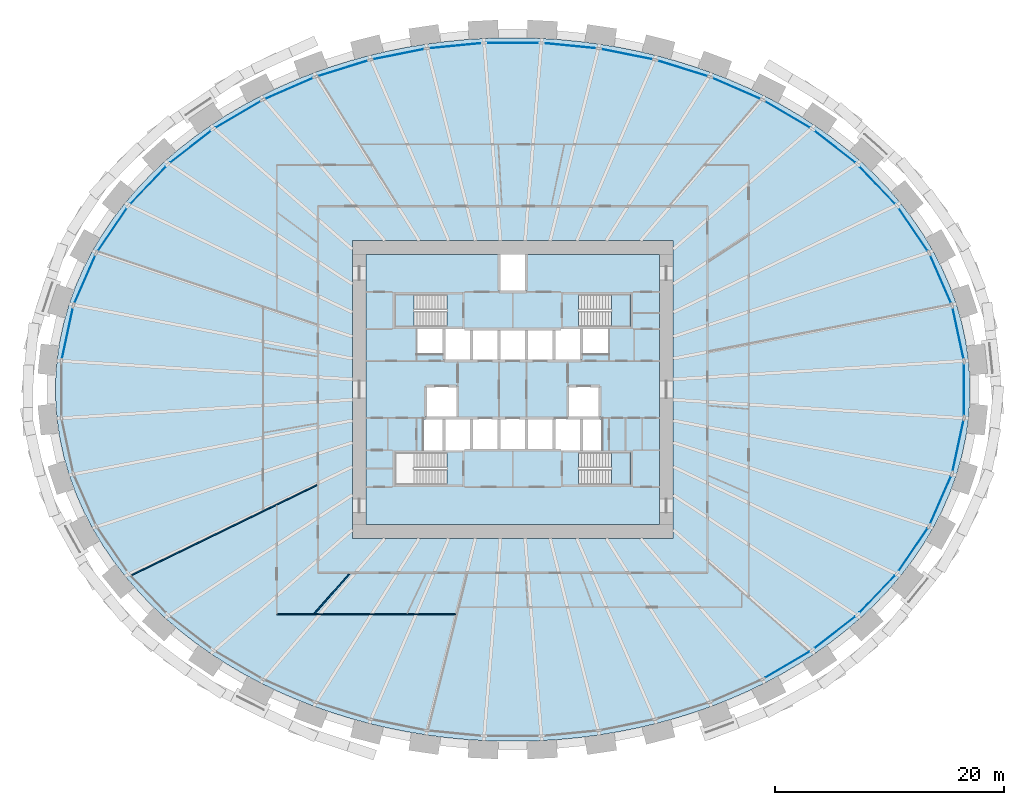
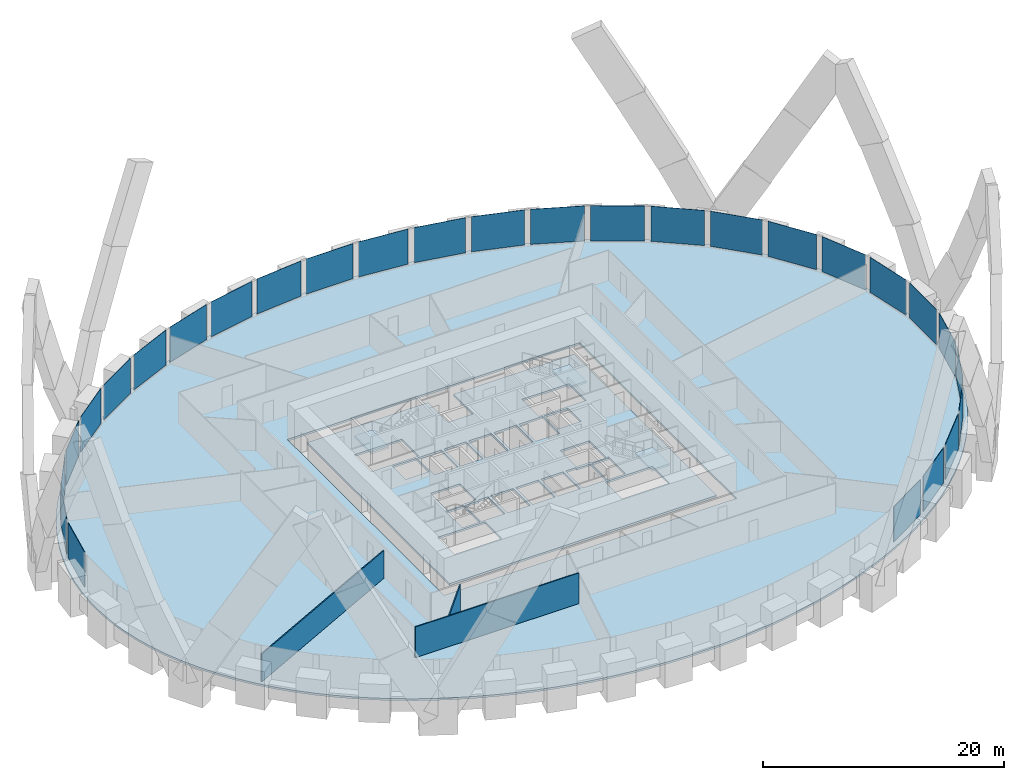
# One storey, part 6 of 12: 28 plates, 5 slabs, 3 walls, 4 elements without a shape of their own.
"""IFC4 building model written with IfcOpenShell, lengths in metres."""

from ifc_helpers import new_model, si_unit, direction, frame, frame_2d, origin, origin_2d, place, context, subcontext, project, spatial, polyline, rectangle, outline, extrude, source, transform, mapped, material, layer, layer_set, type_object, element, aggregate, save


model = new_model("IFC4")

# Units and contexts
model_context = context("Model", 3, precision=1e-05, world=origin(), true_north=direction((0.0, 1.0)))
body_context = subcontext(model_context, "Body", "Model", "MODEL_VIEW")
ifc_project = project(units=[si_unit("LENGTHUNIT", "METRE"), si_unit("AREAUNIT", "SQUARE_METRE"), si_unit("VOLUMEUNIT", "CUBIC_METRE"), si_unit("PLANEANGLEUNIT", "RADIAN"), si_unit("MASSUNIT", "GRAM", prefix="KILO")], contexts=[model_context])

# Site, building, storey
site_placement = place(None, origin())
site = spatial("IfcSite", under=ifc_project, at=site_placement, CompositionType="ELEMENT")
building_placement = place(site_placement, origin())
building = spatial("IfcBuilding", under=site, at=building_placement, Name="Embergate Tower", CompositionType="ELEMENT")
storey_placement = place(building_placement, frame((0.0, 0.0, 65.89990234375)))
storey = spatial("IfcBuildingStorey", under=building, at=storey_placement, Name="L12", CompositionType="ELEMENT", Elevation=65.89990234375)

# Slab
ifc_material_1 = material(Name="Concrete C40", Category="concrete")
ifc_layer_1 = layer(ifc_material_1, 0.199951171875)
ifc_layer_set_1 = layer_set([ifc_layer_1], Name="Concrete C40")
slab_type_1 = type_object("IfcSlabType", Name="Composite floor slab C40 200", PredefinedType="FLOOR", material=ifc_layer_set_1)
shared_shape_1 = source(origin(), body_context, "Body", "SweptSolid", [
    extrude(outline(polyline([(0.0, 0.0), (1.68798828125, 0.0), (3.375, 0.054931640625), (5.06298828125, 0.1650390625), (6.742919921875, 0.330078125), (8.4130859375, 0.550048828125), (10.0849609375, 0.826904296875), (11.739990234375, 1.158935546875), (13.375, 1.544921875), (15.013916015625, 1.992919921875), (16.6259765625, 2.494873046875), (18.2080078125, 3.050048828125), (19.7919921875, 3.673095703125), (21.339111328125, 4.348876953125), (22.844970703125, 5.077880859375), (24.35009765625, 5.880859375), (25.804931640625, 6.737060546875), (27.2080078125, 7.64306640625), (28.60107421875, 8.632080078125), (29.930908203125, 9.669921875), (31.196044921875, 10.755859375), (32.43798828125, 11.931884765625), (33.60302734375, 13.153076171875), (34.68798828125, 14.41796875), (35.72802734375, 15.77392578125), (36.677001953125, 17.1689453125), (37.531982421875, 18.599853515625), (38.31494140625, 20.114990234375), (38.991943359375, 21.659912109375), (39.56201171875, 23.22998046875), (40.032958984375, 24.862060546875), (40.387939453125, 26.510986328125), (40.6259765625, 28.171875), (40.74609375, 29.85595703125), (40.74609375, 31.5419921875), (40.6259765625, 33.22607421875), (40.387939453125, 34.886962890625), (40.032958984375, 36.535888671875), (39.56201171875, 38.16796875), (38.991943359375, 39.738037109375), (38.31494140625, 41.282958984375), (37.531982421875, 42.798095703125), (36.677001953125, 44.22900390625), (35.72802734375, 45.6240234375), (34.68798828125, 46.97998046875), (33.60302734375, 48.244873046875), (32.43798828125, 49.466064453125), (31.196044921875, 50.64208984375), (29.930908203125, 51.72802734375), (28.60107421875, 52.765869140625), (27.2080078125, 53.7548828125), (25.804931640625, 54.660888671875), (24.35009765625, 55.51708984375), (22.844970703125, 56.320068359375), (21.339111328125, 57.049072265625), (19.7919921875, 57.724853515625), (18.2080078125, 58.347900390625), (16.6259765625, 58.903076171875), (15.013916015625, 59.405029296875), (13.375, 59.85302734375), (11.739990234375, 60.239013671875), (10.0849609375, 60.571044921875), (8.4130859375, 60.847900390625), (6.742919921875, 61.06787109375), (5.06298828125, 61.23291015625), (3.375, 61.343017578125), (1.68798828125, 61.39794921875), (0.0, 61.39794921875), (-1.68701171875, 61.343017578125), (-3.375, 61.23291015625), (-5.054931640625, 61.06787109375), (-6.72509765625, 60.847900390625), (-8.39697265625, 60.571044921875), (-10.052001953125, 60.239013671875), (-11.68701171875, 59.85302734375), (-13.325927734375, 59.405029296875), (-14.93798828125, 58.903076171875), (-16.52001953125, 58.347900390625), (-18.10400390625, 57.724853515625), (-19.651123046875, 57.049072265625), (-21.156982421875, 56.320068359375), (-22.662109375, 55.51708984375), (-24.116943359375, 54.660888671875), (-25.52001953125, 53.7548828125), (-26.9130859375, 52.765869140625), (-28.242919921875, 51.72802734375), (-29.508056640625, 50.64208984375), (-30.75, 49.466064453125), (-31.9150390625, 48.244873046875), (-33.0, 46.97998046875), (-34.0400390625, 45.6240234375), (-34.989013671875, 44.22900390625), (-35.843994140625, 42.798095703125), (-36.626953125, 41.282958984375), (-37.303955078125, 39.738037109375), (-37.8740234375, 38.16796875), (-38.344970703125, 36.535888671875), (-38.699951171875, 34.886962890625), (-38.93798828125, 33.22607421875), (-39.05810546875, 31.5419921875), (-39.05810546875, 29.85595703125), (-38.93798828125, 28.171875), (-38.699951171875, 26.510986328125), (-38.344970703125, 24.862060546875), (-37.8740234375, 23.22998046875), (-37.303955078125, 21.659912109375), (-36.626953125, 20.114990234375), (-35.843994140625, 18.599853515625), (-34.989013671875, 17.1689453125), (-34.0400390625, 15.77392578125), (-33.0, 14.41796875), (-31.9150390625, 13.153076171875), (-30.75, 11.931884765625), (-29.508056640625, 10.755859375), (-28.242919921875, 9.669921875), (-26.9130859375, 8.632080078125), (-25.52001953125, 7.64306640625), (-24.116943359375, 6.737060546875), (-22.662109375, 5.880859375), (-21.156982421875, 5.077880859375), (-19.651123046875, 4.348876953125), (-18.10400390625, 3.673095703125), (-16.52001953125, 3.050048828125), (-14.93798828125, 2.494873046875), (-13.325927734375, 1.992919921875), (-11.68701171875, 1.544921875), (-10.052001953125, 1.158935546875), (-8.39697265625, 0.826904296875), (-6.72509765625, 0.550048828125), (-5.054931640625, 0.330078125), (-3.375, 0.1650390625), (-1.68701171875, 0.054931640625), (0.0, 0.0)]), holes=[polyline([(-13.156005859375, 17.698974609375), (-13.156005859375, 43.698974609375), (14.843994140625, 43.698974609375), (14.843994140625, 17.698974609375), (-13.156005859375, 17.698974609375)])]), origin(), (0.0, 0.0, 1.0), 0.199951171875),
])
slab_1_placement = place(storey_placement, frame((-0.843994140625, -30.698974609375, -0.199951171875)))
element("IfcSlab", 1, at=slab_1_placement, inside=storey, type_object=slab_type_1, Name="SLB-L12-00", PredefinedType="FLOOR", context=body_context, shape_type="MappedRepresentation", body=[
    mapped(shared_shape_1, transform((0.0, 0.0, 0.0))),
])

# Curtain wall, plates
ifc_material_2 = material(Name="Aluminium and glass", Category="aluminium")
curtain_wall_type = type_object("IfcCurtainWallType", Name="Recessed office glazing", PredefinedType="NOTDEFINED", material=ifc_material_2)
curtain_wall_placement = place(storey_placement, origin())
curtain_wall = element("IfcCurtainWall", 2, at=curtain_wall_placement, inside=storey, type_object=curtain_wall_type, Name="Recessed office glazing ring", ObjectType="RECESSED OFFICE GLAZING", PredefinedType="USERDEFINED")
ifc_material_3 = material(Name="Triple glazing, low-emissivity coating", Category="glass")
ifc_layer_2 = layer(ifc_material_3, 0.035888671875)
ifc_layer_set_2 = layer_set([ifc_layer_2], Name="Triple glazing, low-emissivity coating")
plate_type = type_object("IfcPlateType", Name="Office glazing unit", PredefinedType="CURTAIN_PANEL", material=ifc_layer_set_2)
shared_shape_2 = source(origin(), body_context, "Body", "SweptSolid", [
    extrude(rectangle(XDim=4.453857421875, YDim=0.035888671875, at=origin_2d()), origin(), (0.0, 0.0, 1.0), 3.550048828125),
])
plate_1_placement = place(storey_placement, frame((38.87060546875, 4.916748046875, 0.14990234375), z_axis=(0.0, 0.0, 1.0), x_axis=(-0.210391566126, 0.977617199574, 0.0)))
plate_1 = element("IfcPlate", 3, at=plate_1_placement, type_object=plate_type, Name="CW panel 1.1", PredefinedType="CURTAIN_PANEL", context=body_context, shape_type="MappedRepresentation", body=[
    mapped(shared_shape_2, transform((0.0, 0.0, 0.0))),
])
plate_2_placement = place(storey_placement, frame((-38.87060546875, 4.916748046875, 0.14990234375), z_axis=(0.0, 0.0, 1.0), x_axis=(-0.210391566126, -0.977617199574, 0.0)))
plate_2 = element("IfcPlate", 4, at=plate_2_placement, type_object=plate_type, Name="CW panel 21.1", PredefinedType="CURTAIN_PANEL", context=body_context, shape_type="MappedRepresentation", body=[
    mapped(shared_shape_2, transform((0.0, 0.0, 0.0))),
])
plate_3_placement = place(storey_placement, frame((38.87060546875, -4.916748046875, 0.14990234375), z_axis=(0.0, 0.0, 1.0), x_axis=(0.210391566126, 0.977617199574, 0.0)))
plate_3 = element("IfcPlate", 5, at=plate_3_placement, type_object=plate_type, Name="CW panel 43.1", PredefinedType="CURTAIN_PANEL", context=body_context, shape_type="MappedRepresentation", body=[
    mapped(shared_shape_2, transform((0.0, 0.0, 0.0))),
])
shared_shape_3 = source(origin(), body_context, "Body", "SweptSolid", [
    extrude(rectangle(XDim=4.460693359375, YDim=0.035888671875, at=origin_2d()), origin(), (0.0, 0.0, 1.0), 3.550048828125),
])
plate_4_placement = place(storey_placement, frame((37.34716796875, 9.628662109375, 0.14990234375), z_axis=(0.0, 0.0, 1.0), x_axis=(-0.401644109346, 0.915795833921, 0.0)))
plate_4 = element("IfcPlate", 6, at=plate_4_placement, type_object=plate_type, Name="CW panel 2.1", PredefinedType="CURTAIN_PANEL", context=body_context, shape_type="MappedRepresentation", body=[
    mapped(shared_shape_3, transform((0.0, 0.0, 0.0))),
])
plate_5_placement = place(storey_placement, frame((-37.34716796875, 9.628662109375, 0.14990234375), z_axis=(0.0, 0.0, 1.0), x_axis=(-0.401644109346, -0.915795833921, 0.0)))
plate_5 = element("IfcPlate", 7, at=plate_5_placement, type_object=plate_type, Name="CW panel 20.1", PredefinedType="CURTAIN_PANEL", context=body_context, shape_type="MappedRepresentation", body=[
    mapped(shared_shape_3, transform((0.0, 0.0, 0.0))),
])
plate_6_placement = place(storey_placement, frame((37.34716796875, -9.628662109375, 0.14990234375), z_axis=(0.0, 0.0, 1.0), x_axis=(0.401644109346, 0.915795833921, 0.0)))
plate_6 = element("IfcPlate", 8, at=plate_6_placement, type_object=plate_type, Name="CW panel 42.1", PredefinedType="CURTAIN_PANEL", context=body_context, shape_type="MappedRepresentation", body=[
    mapped(shared_shape_3, transform((0.0, 0.0, 0.0))),
])
shared_shape_4 = source(origin(), body_context, "Body", "SweptSolid", [
    extrude(rectangle(XDim=4.4697265625, YDim=0.035888671875, at=origin_2d()), origin(), (0.0, 0.0, 1.0), 3.550048828125),
])
plate_7_placement = place(storey_placement, frame((34.94384765625, 13.972412109375, 0.14990234375), z_axis=(0.0, 0.0, 1.0), x_axis=(-0.562331639324, 0.826911801473, 0.0)))
plate_7 = element("IfcPlate", 9, at=plate_7_placement, type_object=plate_type, Name="CW panel 3.1", PredefinedType="CURTAIN_PANEL", context=body_context, shape_type="MappedRepresentation", body=[
    mapped(shared_shape_4, transform((0.0, 0.0, 0.0))),
])
plate_8_placement = place(storey_placement, frame((-34.94384765625, 13.972412109375, 0.14990234375), z_axis=(0.0, 0.0, 1.0), x_axis=(-0.562331639324, -0.826911801473, 0.0)))
plate_8 = element("IfcPlate", 10, at=plate_8_placement, type_object=plate_type, Name="CW panel 19.1", PredefinedType="CURTAIN_PANEL", context=body_context, shape_type="MappedRepresentation", body=[
    mapped(shared_shape_4, transform((0.0, 0.0, 0.0))),
])
plate_9_placement = place(storey_placement, frame((34.94384765625, -13.972412109375, 0.14990234375), z_axis=(0.0, 0.0, 1.0), x_axis=(0.562331639324, 0.826911801473, 0.0)))
plate_9 = element("IfcPlate", 11, at=plate_9_placement, type_object=plate_type, Name="CW panel 41.1", PredefinedType="CURTAIN_PANEL", context=body_context, shape_type="MappedRepresentation", body=[
    mapped(shared_shape_4, transform((0.0, 0.0, 0.0))),
])
shared_shape_5 = source(origin(), body_context, "Body", "SweptSolid", [
    extrude(rectangle(XDim=4.478515625, YDim=0.035888671875, at=origin_2d()), origin(), (0.0, 0.0, 1.0), 3.550048828125),
])
plate_10_placement = place(storey_placement, frame((31.816162109375, 17.84423828125, 0.14990234375), z_axis=(0.0, 0.0, 1.0), x_axis=(-0.690124942972, 0.723690239735, 0.0)))
plate_10 = element("IfcPlate", 12, at=plate_10_placement, type_object=plate_type, Name="CW panel 4.1", PredefinedType="CURTAIN_PANEL", context=body_context, shape_type="MappedRepresentation", body=[
    mapped(shared_shape_5, transform((0.0, 0.0, 0.0))),
])
plate_11_placement = place(storey_placement, frame((-31.816162109375, 17.84423828125, 0.14990234375), z_axis=(0.0, 0.0, 1.0), x_axis=(-0.690124942972, -0.723690239735, 0.0)))
plate_11 = element("IfcPlate", 13, at=plate_11_placement, type_object=plate_type, Name="CW panel 18.1", PredefinedType="CURTAIN_PANEL", context=body_context, shape_type="MappedRepresentation", body=[
    mapped(shared_shape_5, transform((0.0, 0.0, 0.0))),
])
plate_12_placement = place(storey_placement, frame((31.816162109375, -17.84423828125, 0.14990234375), z_axis=(0.0, 0.0, 1.0), x_axis=(0.690124942972, 0.723690239735, 0.0)))
plate_12 = element("IfcPlate", 14, at=plate_12_placement, type_object=plate_type, Name="CW panel 40.1", PredefinedType="CURTAIN_PANEL", context=body_context, shape_type="MappedRepresentation", body=[
    mapped(shared_shape_5, transform((0.0, 0.0, 0.0))),
])
shared_shape_6 = source(origin(), body_context, "Body", "SweptSolid", [
    extrude(rectangle(XDim=4.486083984375, YDim=0.035888671875, at=origin_2d()), origin(), (0.0, 0.0, 1.0), 3.550048828125),
])
plate_13_placement = place(storey_placement, frame((28.1181640625, 21.19287109375, 0.14990234375), z_axis=(0.0, 0.0, 1.0), x_axis=(-0.788312602312, 0.615274931259, 0.0)))
plate_13 = element("IfcPlate", 15, at=plate_13_placement, type_object=plate_type, Name="CW panel 5.1", PredefinedType="CURTAIN_PANEL", context=body_context, shape_type="MappedRepresentation", body=[
    mapped(shared_shape_6, transform((0.0, 0.0, 0.0))),
])
plate_14_placement = place(storey_placement, frame((-28.1181640625, 21.19287109375, 0.14990234375), z_axis=(0.0, 0.0, 1.0), x_axis=(-0.788312602312, -0.615274931259, 0.0)))
plate_14 = element("IfcPlate", 16, at=plate_14_placement, type_object=plate_type, Name="CW panel 17.1", PredefinedType="CURTAIN_PANEL", context=body_context, shape_type="MappedRepresentation", body=[
    mapped(shared_shape_6, transform((0.0, 0.0, 0.0))),
])
plate_15_placement = place(storey_placement, frame((28.1181640625, -21.19287109375, 0.14990234375), z_axis=(0.0, 0.0, 1.0), x_axis=(0.788312602312, 0.615274931259, 0.0)))
plate_15 = element("IfcPlate", 17, at=plate_15_placement, type_object=plate_type, Name="CW panel 39.1", PredefinedType="CURTAIN_PANEL", context=body_context, shape_type="MappedRepresentation", body=[
    mapped(shared_shape_6, transform((0.0, 0.0, 0.0))),
])
shared_shape_7 = source(origin(), body_context, "Body", "SweptSolid", [
    extrude(rectangle(XDim=4.491943359375, YDim=0.035888671875, at=origin_2d()), origin(), (0.0, 0.0, 1.0), 3.550048828125),
])
plate_16_placement = place(storey_placement, frame((23.98486328125, 24.0029296875, 0.14990234375), z_axis=(0.0, 0.0, 1.0), x_axis=(-0.86204786038, 0.506826880122, 0.0)))
plate_16 = element("IfcPlate", 18, at=plate_16_placement, type_object=plate_type, Name="CW panel 6.1", PredefinedType="CURTAIN_PANEL", context=body_context, shape_type="MappedRepresentation", body=[
    mapped(shared_shape_7, transform((0.0, 0.0, 0.0))),
])
plate_17_placement = place(storey_placement, frame((-23.98486328125, 24.0029296875, 0.14990234375), z_axis=(0.0, 0.0, 1.0), x_axis=(-0.86204786038, -0.506826880122, 0.0)))
plate_17 = element("IfcPlate", 19, at=plate_17_placement, type_object=plate_type, Name="CW panel 16.1", PredefinedType="CURTAIN_PANEL", context=body_context, shape_type="MappedRepresentation", body=[
    mapped(shared_shape_7, transform((0.0, 0.0, 0.0))),
])
plate_18_placement = place(storey_placement, frame((23.98486328125, -24.0029296875, 0.14990234375), z_axis=(0.0, 0.0, 1.0), x_axis=(0.86204786038, 0.506826880122, 0.0)))
plate_18 = element("IfcPlate", 20, at=plate_18_placement, type_object=plate_type, Name="CW panel 38.1", PredefinedType="CURTAIN_PANEL", context=body_context, shape_type="MappedRepresentation", body=[
    mapped(shared_shape_7, transform((0.0, 0.0, 0.0))),
])
shared_shape_8 = source(origin(), body_context, "Body", "SweptSolid", [
    extrude(rectangle(XDim=4.49658203125, YDim=0.035888671875, at=origin_2d()), origin(), (0.0, 0.0, 1.0), 3.550048828125),
])
plate_19_placement = place(storey_placement, frame((19.5263671875, 26.278076171875, 0.14990234375), z_axis=(0.0, 0.0, 1.0), x_axis=(-0.916232715476, 0.400646491426, 0.0)))
plate_19 = element("IfcPlate", 21, at=plate_19_placement, type_object=plate_type, Name="CW panel 7.1", PredefinedType="CURTAIN_PANEL", context=body_context, shape_type="MappedRepresentation", body=[
    mapped(shared_shape_8, transform((0.0, 0.0, 0.0))),
])
plate_20_placement = place(storey_placement, frame((-19.5263671875, 26.278076171875, 0.14990234375), z_axis=(0.0, 0.0, 1.0), x_axis=(-0.916232715476, -0.400646491426, 0.0)))
plate_20 = element("IfcPlate", 22, at=plate_20_placement, type_object=plate_type, Name="CW panel 15.1", PredefinedType="CURTAIN_PANEL", context=body_context, shape_type="MappedRepresentation", body=[
    mapped(shared_shape_8, transform((0.0, 0.0, 0.0))),
])
shared_shape_9 = source(origin(), body_context, "Body", "SweptSolid", [
    extrude(rectangle(XDim=4.5, YDim=0.035888671875, at=origin_2d()), origin(), (0.0, 0.0, 1.0), 3.550048828125),
])
plate_21_placement = place(storey_placement, frame((14.831787109375, 28.029296875, 0.14990234375), z_axis=(0.0, 0.0, 1.0), x_axis=(-0.954770141339, 0.297344879236, 0.0)))
plate_21 = element("IfcPlate", 23, at=plate_21_placement, type_object=plate_type, Name="CW panel 8.1", PredefinedType="CURTAIN_PANEL", context=body_context, shape_type="MappedRepresentation", body=[
    mapped(shared_shape_9, transform((0.0, 0.0, 0.0))),
])
plate_22_placement = place(storey_placement, frame((-14.831787109375, 28.029296875, 0.14990234375), z_axis=(0.0, 0.0, 1.0), x_axis=(-0.954770141339, -0.297344879236, 0.0)))
plate_22 = element("IfcPlate", 24, at=plate_22_placement, type_object=plate_type, Name="CW panel 14.1", PredefinedType="CURTAIN_PANEL", context=body_context, shape_type="MappedRepresentation", body=[
    mapped(shared_shape_9, transform((0.0, 0.0, 0.0))),
])
shared_shape_10 = source(origin(), body_context, "Body", "SweptSolid", [
    extrude(rectangle(XDim=4.502197265625, YDim=0.035888671875, at=origin_2d()), origin(), (0.0, 0.0, 1.0), 3.550048828125),
])
plate_23_placement = place(storey_placement, frame((9.97314453125, 29.269287109375, 0.14990234375), z_axis=(0.0, 0.0, 1.0), x_axis=(-0.980474877795, 0.196644384646, 0.0)))
plate_23 = element("IfcPlate", 25, at=plate_23_placement, type_object=plate_type, Name="CW panel 9.1", PredefinedType="CURTAIN_PANEL", context=body_context, shape_type="MappedRepresentation", body=[
    mapped(shared_shape_10, transform((0.0, 0.0, 0.0))),
])
plate_24_placement = place(storey_placement, frame((-9.97314453125, 29.269287109375, 0.14990234375), z_axis=(0.0, 0.0, 1.0), x_axis=(-0.980474877795, -0.196644384646, 0.0)))
plate_24 = element("IfcPlate", 26, at=plate_24_placement, type_object=plate_type, Name="CW panel 13.1", PredefinedType="CURTAIN_PANEL", context=body_context, shape_type="MappedRepresentation", body=[
    mapped(shared_shape_10, transform((0.0, 0.0, 0.0))),
])
shared_shape_11 = source(origin(), body_context, "Body", "SweptSolid", [
    extrude(rectangle(XDim=4.50341796875, YDim=0.035888671875, at=origin_2d()), origin(), (0.0, 0.0, 1.0), 3.550048828125),
])
plate_25_placement = place(storey_placement, frame((5.01171875, 30.009033203125, 0.14990234375), z_axis=(0.0, 0.0, 1.0), x_axis=(-0.995203014042, 0.097831287645, 0.0)))
plate_25 = element("IfcPlate", 27, at=plate_25_placement, type_object=plate_type, Name="CW panel 10.1", PredefinedType="CURTAIN_PANEL", context=body_context, shape_type="MappedRepresentation", body=[
    mapped(shared_shape_11, transform((0.0, 0.0, 0.0))),
])
plate_26_placement = place(storey_placement, frame((-5.01171875, 30.009033203125, 0.14990234375), z_axis=(0.0, 0.0, 1.0), x_axis=(-0.995203014042, -0.097831287645, 0.0)))
plate_26 = element("IfcPlate", 28, at=plate_26_placement, type_object=plate_type, Name="CW panel 12.1", PredefinedType="CURTAIN_PANEL", context=body_context, shape_type="MappedRepresentation", body=[
    mapped(shared_shape_11, transform((0.0, 0.0, 0.0))),
])
shared_shape_12 = source(origin(), body_context, "Body", "SweptSolid", [
    extrude(rectangle(XDim=4.50390625, YDim=0.035888671875, at=origin_2d()), origin(), (0.0, 0.0, 1.0), 3.550048828125),
])
plate_27_placement = place(storey_placement, frame((0.0, 30.254638671875, 0.14990234375), z_axis=(0.0, 0.0, 1.0), x_axis=(-1.0, 0.0, 0.0)))
plate_27 = element("IfcPlate", 29, at=plate_27_placement, type_object=plate_type, Name="CW panel 11.1", PredefinedType="CURTAIN_PANEL", context=body_context, shape_type="MappedRepresentation", body=[
    mapped(shared_shape_12, transform((0.0, 0.0, 0.0))),
])
shared_shape_13 = source(origin(), body_context, "Body", "SweptSolid", [
    extrude(rectangle(XDim=4.451171875, YDim=0.035888671875, at=origin_2d()), origin(), (0.0, 0.0, 1.0), 3.550048828125),
])
plate_28_placement = place(storey_placement, frame((39.393798828125, 0.0, 0.14990234375), z_axis=(0.0, 0.0, 1.0), x_axis=(0.0, 1.0, 0.0)))
plate_28 = element("IfcPlate", 30, at=plate_28_placement, type_object=plate_type, Name="CW panel 44.1", PredefinedType="CURTAIN_PANEL", context=body_context, shape_type="MappedRepresentation", body=[
    mapped(shared_shape_13, transform((0.0, 0.0, 0.0))),
])
aggregate(curtain_wall, [plate_1, plate_4, plate_7, plate_10, plate_13, plate_16, plate_19, plate_21, plate_23, plate_25, plate_27, plate_26, plate_24, plate_22, plate_20, plate_17, plate_14, plate_11, plate_8, plate_5, plate_2, plate_18, plate_15, plate_12, plate_9, plate_6, plate_3, plate_28])

# Stair, slab
ifc_material_4 = material(Name="Exit stair")
stair_type = type_object("IfcStairType", Name="Exit stair", PredefinedType="HALF_TURN_STAIR", material=ifc_material_4)
stair_1_placement = place(storey_placement, origin())
stair_1 = element("IfcStair", 31, at=stair_1_placement, inside=storey, type_object=stair_type, Name="L12 Exit stair 1", PredefinedType="HALF_TURN_STAIR")
ifc_layer_3 = layer(ifc_material_1, 0.199951171875)
ifc_layer_set_3 = layer_set([ifc_layer_3], Name="Concrete C40")
slab_type_2 = type_object("IfcSlabType", Name="Stair landing reinforced concrete", PredefinedType="LANDING", material=ifc_layer_set_3)
shared_shape_14 = source(origin(), body_context, "Body", "SweptSolid", [
    extrude(outline(polyline([(0.0, 0.0), (1.68994140625, 0.0), (1.68994140625, 2.800048828125), (0.0, 2.800048828125), (0.0, 0.0)])), origin(), (0.0, 0.0, 1.0), 0.2001953125),
])
slab_2_placement = place(storey_placement, frame((-10.300048828125, 5.5, 1.75)))
slab_2 = element("IfcSlab", 32, at=slab_2_placement, type_object=slab_type_2, Name="ST1 landing 1", PredefinedType="LANDING", context=body_context, shape_type="MappedRepresentation", body=[
    mapped(shared_shape_14, transform((0.0, 0.0, 0.0))),
])
aggregate(stair_1, [slab_2])

stair_2_placement = place(storey_placement, origin())
stair_2 = element("IfcStair", 33, at=stair_2_placement, inside=storey, type_object=stair_type, Name="L12 Exit stair 2", PredefinedType="HALF_TURN_STAIR")
slab_3_placement = place(storey_placement, frame((8.610107421875, 5.5, 1.75)))
slab_3 = element("IfcSlab", 34, at=slab_3_placement, type_object=slab_type_2, Name="ST2 landing 1", PredefinedType="LANDING", context=body_context, shape_type="MappedRepresentation", body=[
    mapped(shared_shape_14, transform((0.0, 0.0, 0.0))),
])
aggregate(stair_2, [slab_3])

stair_3_placement = place(storey_placement, origin())
stair_3 = element("IfcStair", 35, at=stair_3_placement, inside=storey, type_object=stair_type, Name="L12 Exit stair 4", PredefinedType="HALF_TURN_STAIR")
slab_4_placement = place(storey_placement, frame((8.610107421875, -8.300048828125, 1.75)))
slab_4 = element("IfcSlab", 36, at=slab_4_placement, type_object=slab_type_2, Name="ST4 landing 1", PredefinedType="LANDING", context=body_context, shape_type="MappedRepresentation", body=[
    mapped(shared_shape_14, transform((0.0, 0.0, 0.0))),
])
aggregate(stair_3, [slab_4])

# Slab
ifc_layer_4 = layer(ifc_material_1, 0.199951171875)
ifc_layer_set_4 = layer_set([ifc_layer_4], Name="Concrete C40")
slab_type_3 = type_object("IfcSlabType", Name="Core floor slab 200 reinforced concrete", PredefinedType="FLOOR", material=ifc_layer_set_4)
shared_shape_15 = source(origin(), body_context, "Body", "SweptSolid", [
    extrude(outline(polyline([(0.0, 0.0), (25.60009765625, 0.0), (25.60009765625, 23.60009765625), (14.0, 23.60009765625), (14.0, 20.300048828125), (11.60009765625, 20.300048828125), (11.60009765625, 23.60009765625), (0.0, 23.60009765625), (0.0, 0.0)]), holes=[polyline([(2.5, 3.5), (2.5, 6.300048828125), (7.0400390625, 6.300048828125), (7.0400390625, 3.5), (2.5, 3.5)]), polyline([(18.56005859375, 3.5), (18.56005859375, 6.300048828125), (23.10009765625, 6.300048828125), (23.10009765625, 3.5), (18.56005859375, 3.5)]), polyline([(5.0, 6.5), (5.0, 9.300048828125), (5.074951171875, 9.300048828125), (5.074951171875, 9.175048828125), (6.675048828125, 9.175048828125), (6.675048828125, 6.5), (5.0, 6.5)]), polyline([(6.800048828125, 6.5), (6.800048828125, 9.175048828125), (8.125, 9.175048828125), (8.125, 9.300048828125), (9.074951171875, 9.300048828125), (9.074951171875, 6.5), (6.800048828125, 6.5)]), polyline([(9.324951171875, 6.5), (9.324951171875, 9.300048828125), (11.47509765625, 9.300048828125), (11.47509765625, 6.5), (9.324951171875, 6.5)]), polyline([(11.72509765625, 6.5), (11.72509765625, 9.300048828125), (13.875, 9.300048828125), (13.875, 6.5), (11.72509765625, 6.5)]), polyline([(14.125, 6.5), (14.125, 9.300048828125), (16.275146484375, 9.300048828125), (16.275146484375, 6.5), (14.125, 6.5)]), polyline([(16.525146484375, 6.5), (16.525146484375, 9.300048828125), (17.47509765625, 9.300048828125), (17.47509765625, 9.175048828125), (18.800048828125, 9.175048828125), (18.800048828125, 6.5), (16.525146484375, 6.5)]), polyline([(18.925048828125, 6.5), (18.925048828125, 9.175048828125), (20.525146484375, 9.175048828125), (20.525146484375, 9.300048828125), (20.60009765625, 9.300048828125), (20.60009765625, 6.5), (18.925048828125, 6.5)]), polyline([(5.199951171875, 9.300048828125), (5.199951171875, 12.10009765625), (8.0, 12.10009765625), (8.0, 9.425048828125), (6.675048828125, 9.425048828125), (6.675048828125, 9.300048828125), (5.199951171875, 9.300048828125)]), polyline([(18.925048828125, 9.300048828125), (18.925048828125, 9.425048828125), (17.60009765625, 9.425048828125), (17.60009765625, 12.10009765625), (20.400146484375, 12.10009765625), (20.400146484375, 9.300048828125), (18.925048828125, 9.300048828125)]), polyline([(6.800048828125, 14.300048828125), (6.800048828125, 17.10009765625), (9.074951171875, 17.10009765625), (9.074951171875, 14.300048828125), (6.800048828125, 14.300048828125)]), polyline([(9.324951171875, 14.300048828125), (9.324951171875, 17.10009765625), (11.47509765625, 17.10009765625), (11.47509765625, 14.300048828125), (9.324951171875, 14.300048828125)]), polyline([(11.72509765625, 14.300048828125), (11.72509765625, 17.10009765625), (13.875, 17.10009765625), (13.875, 14.300048828125), (11.72509765625, 14.300048828125)]), polyline([(14.125, 14.300048828125), (14.125, 17.10009765625), (16.275146484375, 17.10009765625), (16.275146484375, 14.300048828125), (14.125, 14.300048828125)]), polyline([(16.525146484375, 14.300048828125), (16.525146484375, 17.10009765625), (18.800048828125, 17.10009765625), (18.800048828125, 14.300048828125), (16.525146484375, 14.300048828125)]), polyline([(4.400146484375, 14.900146484375), (4.400146484375, 17.10009765625), (6.675048828125, 17.10009765625), (6.675048828125, 14.900146484375), (4.400146484375, 14.900146484375)]), polyline([(18.925048828125, 14.900146484375), (18.925048828125, 17.10009765625), (21.199951171875, 17.10009765625), (21.199951171875, 14.900146484375), (18.925048828125, 14.900146484375)]), polyline([(2.5, 17.300048828125), (2.5, 20.10009765625), (7.0400390625, 20.10009765625), (7.0400390625, 17.300048828125), (2.5, 17.300048828125)]), polyline([(18.56005859375, 17.300048828125), (18.56005859375, 20.10009765625), (23.10009765625, 20.10009765625), (23.10009765625, 17.300048828125), (18.56005859375, 17.300048828125)])]), origin(), (0.0, 0.0, 1.0), 0.199951171875),
])
slab_5_placement = place(storey_placement, frame((-12.800048828125, -11.800048828125, -0.199951171875)))
element("IfcSlab", 37, at=slab_5_placement, inside=storey, type_object=slab_type_3, Name="Core floor slab", PredefinedType="FLOOR", context=body_context, shape_type="MappedRepresentation", body=[
    mapped(shared_shape_15, transform((0.0, 0.0, 0.0))),
])

# Walls
ifc_material_5 = material(Name="Partition dry-lined 100")
ifc_layer_5 = layer(ifc_material_5, 0.10009765625)
ifc_layer_set_5 = layer_set([ifc_layer_5], Name="Partition dry-lined 100")
wall_type = type_object("IfcWallType", Name="Partition dry-lined 100", PredefinedType="PARTITIONING", material=ifc_layer_set_5)
shared_shape_16 = source(origin(), body_context, "Body", "SweptSolid", [
    extrude(rectangle(XDim=4.554443359375, YDim=0.10009765625, at=frame_2d((2.27734375, 0.0))), origin(), (0.0, 0.0, 1.0), 3.10009765625),
])
wall_1_placement = place(storey_placement, frame((-14.27001953125, -16.10791015625, 0.0), z_axis=(0.0, 0.0, 1.0), x_axis=(-0.663091888953, -0.748538006252, 0.0)))
element("IfcWall", 38, at=wall_1_placement, inside=storey, type_object=wall_type, Name="IP-1 wall", PredefinedType="PARTITIONING", context=body_context, shape_type="MappedRepresentation", body=[
    mapped(shared_shape_16, transform((0.0, 0.0, 0.0))),
])
shared_shape_17 = source(origin(), body_context, "Body", "SweptSolid", [
    extrude(rectangle(XDim=15.666015625, YDim=0.10009765625, at=frame_2d((7.8330078125, 0.0))), origin(), (0.0, 0.0, 1.0), 3.10009765625),
])
wall_2_placement = place(storey_placement, frame((-4.93408203125, -19.60009765625, 0.0), z_axis=(0.0, 0.0, 1.0), x_axis=(-1.0, 0.0, 0.0)))
element("IfcWall", 39, at=wall_2_placement, inside=storey, type_object=wall_type, Name="IP-1 wall", PredefinedType="PARTITIONING", context=body_context, shape_type="MappedRepresentation", body=[
    mapped(shared_shape_17, transform((0.0, 0.0, 0.0))),
])
shared_shape_18 = source(origin(), body_context, "Body", "SweptSolid", [
    extrude(rectangle(XDim=18.080078125, YDim=0.10009765625, at=frame_2d((9.0400390625, 0.0))), origin(), (0.0, 0.0, 1.0), 2.800048828125),
])
wall_3_placement = place(storey_placement, frame((-33.35302734375, -16.238037109375, 0.0), z_axis=(0.0, 0.0, 1.0), x_axis=(0.899111298588, 0.43772008493, 0.0)))
element("IfcWall", 40, at=wall_3_placement, inside=storey, type_object=wall_type, Name="IP-1 wall", PredefinedType="PARTITIONING", context=body_context, shape_type="MappedRepresentation", body=[
    mapped(shared_shape_18, transform((0.0, 0.0, 0.0))),
])

save(model, "model.ifc")
